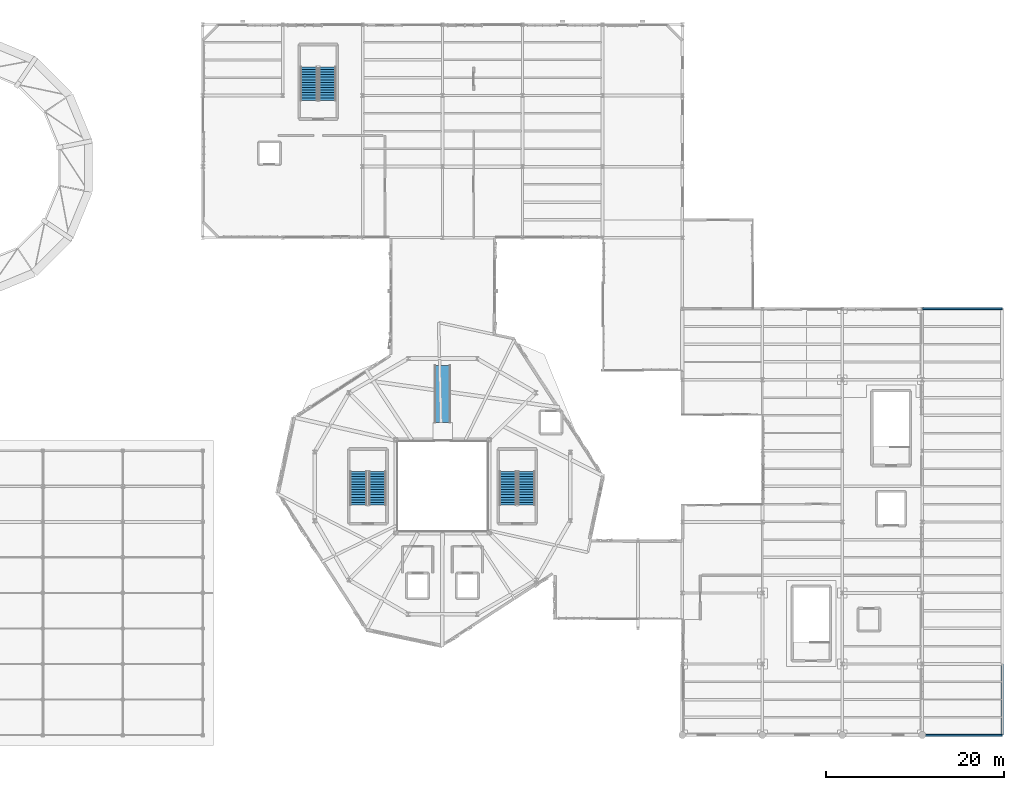
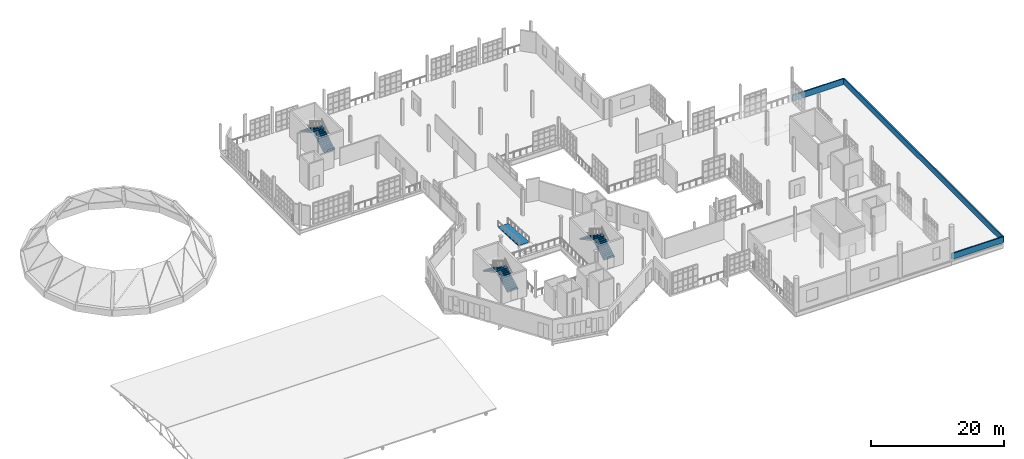
# One storey, part 107 of 118: 6 stair flights, 3 walls, 1 ramp flight, 4 elements without a shape of their own.
"""IFC4 building model written with IfcOpenShell, lengths in metres."""

from ifc_helpers import new_model, si_unit, direction, frame, frame_2d, origin, place, context, subcontext, project, spatial, polyline, rectangle, outline, extrude, material, layer, layer_set, type_object, element, aggregate, save


model = new_model("IFC4")

# Units and contexts
model_context = context("Model", 3, precision=1e-05, world=origin(), true_north=direction((0.0, 1.0)))
body_context = subcontext(model_context, "Body", "Model", "MODEL_VIEW")
ifc_project = project(units=[si_unit("LENGTHUNIT", "METRE"), si_unit("AREAUNIT", "SQUARE_METRE"), si_unit("VOLUMEUNIT", "CUBIC_METRE"), si_unit("PLANEANGLEUNIT", "RADIAN"), si_unit("MASSUNIT", "GRAM", prefix="KILO"), si_unit("THERMODYNAMICTEMPERATUREUNIT", "KELVIN"), si_unit("POWERUNIT", "WATT")], contexts=[model_context])

# Site, building, storey
site_placement = place(None, origin())
site = spatial("IfcSite", under=ifc_project, at=site_placement, CompositionType="ELEMENT")
building_placement = place(site_placement, origin())
building = spatial("IfcBuilding", under=site, at=building_placement, Name="Zelmaris Science Centre", CompositionType="ELEMENT")
storey_placement = place(building_placement, frame((0.0, 0.0, 15.60009765625)))
storey = spatial("IfcBuildingStorey", under=building, at=storey_placement, Name="L03", CompositionType="ELEMENT", Elevation=15.60009765625)

# Walls
ifc_material_1 = material(Name="Precast concrete C40/50", Category="concrete")
ifc_layer_1 = layer(ifc_material_1, 0.219970703125, Name="Precast concrete C40/50")
ifc_layer_set_1 = layer_set([ifc_layer_1], Name="Precast concrete C40/50")
wall_type_1 = type_object("IfcWallType", Name="Roof Parapet PW-01 220mm", PredefinedType="PARAPET", material=ifc_layer_set_1)
for number, where, z_axis, x_axis, name in (
    (1, (135.0, 8.0, 0.0), (0.0, 0.0, 1.0), (1.0, 0.0, 0.0), "L03 Precast roof parapet 7"),
    (2, (135.0, 56.0, 0.0), (0.0, 0.0, 1.0), (1.0, 0.0, 0.0), "L03 Precast roof parapet 9"),
):
    element("IfcWall", number, at=place(storey_placement, frame(where, z_axis=z_axis, x_axis=x_axis)), inside=storey, type_object=wall_type_1, Name=name, PredefinedType="PARAPET", context=body_context, shape_type="SweptSolid", body=[
        extrude(rectangle(XDim=9.0, YDim=0.219970703125, at=frame_2d((4.5, 0.0))), origin(), (0.0, 0.0, 1.0), 1.099853515625),
    ])
ifc_layer_2 = layer(ifc_material_1, 0.25, Name="Precast concrete C40/50")
ifc_layer_set_2 = layer_set([ifc_layer_2], Name="Precast concrete C40/50")
wall_type_2 = type_object("IfcWallType", Name="Roof Parapet PW-02 250mm", PredefinedType="PARAPET", material=ifc_layer_set_2)
wall_placement = place(storey_placement, frame((144.0, 8.0, 0.0), z_axis=(0.0, 0.0, 1.0), x_axis=(0.0, 1.0, 0.0)))
element("IfcWall", 3, at=wall_placement, inside=storey, type_object=wall_type_2, Name="L03 Precast roof parapet 8", PredefinedType="PARAPET", context=body_context, shape_type="SweptSolid", body=[
    extrude(rectangle(XDim=48.0, YDim=0.25, at=frame_2d((24.0, 0.0))), origin(), (0.0, 0.0, 1.0), 1.099853515625),
])

# Stair, stair flights
ifc_material_2 = material(Name="Concrete C40/50", Category="concrete")
stair_type = type_object("IfcStairType", Name="Exit Stair ST-B W1900", PredefinedType="HALF_TURN_STAIR", material=ifc_material_2)
stair_1_placement = place(storey_placement, origin())
stair_1 = element("IfcStair", 4, at=stair_1_placement, inside=storey, type_object=stair_type, Name="L03 Exit Stair Core ST-1", PredefinedType="HALF_TURN_STAIR")
stair_flight_type = type_object("IfcStairFlightType", Name="Stair Flight ST-BF W1900", PredefinedType="STRAIGHT", material=ifc_material_2)
stair_flight_1_placement = place(storey_placement, frame((73.64990234375, 33.89990234375, 0.0), z_axis=(0.0, 0.0, 1.0), x_axis=(0.0, 1.0, 0.0)))
stair_flight_1 = element("IfcStairFlight", 5, at=stair_flight_1_placement, type_object=stair_flight_type, Name="ST-1 flight 1", NumberOfRisers=14, NumberOfTreads=13, PredefinedType="STRAIGHT", RiserHeight=0.171428571, TreadLength=0.29, context=body_context, shape_type="SweptSolid", body=[
    extrude(outline(polyline([(0.0, 0.0), (0.0, 0.17138671875), (0.2900390625, 0.17138671875), (0.2900390625, 0.3427734375), (0.580078125, 0.3427734375), (0.580078125, 0.514404296875), (0.8701171875, 0.514404296875), (0.8701171875, 0.685791015625), (1.159912109375, 0.685791015625), (1.159912109375, 0.857177734375), (1.449951171875, 0.857177734375), (1.449951171875, 1.028564453125), (1.739990234375, 1.028564453125), (1.739990234375, 1.199951171875), (2.030029296875, 1.199951171875), (2.030029296875, 1.371337890625), (2.320068359375, 1.371337890625), (2.320068359375, 1.54296875), (2.610107421875, 1.54296875), (2.610107421875, 1.71435546875), (2.89990234375, 1.71435546875), (2.89990234375, 1.8857421875), (3.18994140625, 1.8857421875), (3.18994140625, 2.05712890625), (3.47998046875, 2.05712890625), (3.47998046875, 2.228515625), (3.77001953125, 2.228515625), (3.77001953125, 2.39990234375), (3.77001953125, 2.054443359375), (0.294677734375, 0.0), (0.0, 0.0)])), frame((0.0, 0.949951171875, 0.0), z_axis=(0.0, -1.0, 0.0), x_axis=(1.0, 0.0, 0.0)), (0.0, 0.0, 1.0), 1.89990234375),
])
stair_flight_2_placement = place(storey_placement, frame((71.550048828125, 37.669921875, 2.39990234375), z_axis=(0.0, 0.0, 1.0), x_axis=(0.0, -1.0, 0.0)))
stair_flight_2 = element("IfcStairFlight", 6, at=stair_flight_2_placement, type_object=stair_flight_type, Name="ST-1 flight 2", NumberOfRisers=14, NumberOfTreads=13, PredefinedType="STRAIGHT", RiserHeight=0.171428571, TreadLength=0.29, context=body_context, shape_type="SweptSolid", body=[
    extrude(outline(polyline([(0.0, 0.0), (0.0, 0.17138671875), (0.2900390625, 0.17138671875), (0.2900390625, 0.3427734375), (0.580078125, 0.3427734375), (0.580078125, 0.514404296875), (0.8701171875, 0.514404296875), (0.8701171875, 0.685791015625), (1.159912109375, 0.685791015625), (1.159912109375, 0.857177734375), (1.449951171875, 0.857177734375), (1.449951171875, 1.028564453125), (1.739990234375, 1.028564453125), (1.739990234375, 1.199951171875), (2.030029296875, 1.199951171875), (2.030029296875, 1.371337890625), (2.320068359375, 1.371337890625), (2.320068359375, 1.54296875), (2.610107421875, 1.54296875), (2.610107421875, 1.71435546875), (2.89990234375, 1.71435546875), (2.89990234375, 1.8857421875), (3.18994140625, 1.8857421875), (3.18994140625, 2.05712890625), (3.47998046875, 2.05712890625), (3.47998046875, 2.228515625), (3.77001953125, 2.228515625), (3.77001953125, 2.39990234375), (3.77001953125, 2.054443359375), (0.294677734375, 0.0), (0.0, 0.0)])), frame((0.0, 0.949951171875, 0.0), z_axis=(0.0, -1.0, 0.0), x_axis=(1.0, 0.0, 0.0)), (0.0, 0.0, 1.0), 1.89990234375),
])
aggregate(stair_1, [stair_flight_1, stair_flight_2])

stair_2_placement = place(storey_placement, origin())
stair_2 = element("IfcStair", 7, at=stair_2_placement, inside=storey, type_object=stair_type, Name="L03 Exit Stair Core ST-2", PredefinedType="HALF_TURN_STAIR")
stair_flight_3_placement = place(storey_placement, frame((90.449951171875, 33.89990234375, 0.0), z_axis=(0.0, 0.0, 1.0), x_axis=(0.0, 1.0, 0.0)))
stair_flight_3 = element("IfcStairFlight", 8, at=stair_flight_3_placement, type_object=stair_flight_type, Name="ST-2 flight 1", NumberOfRisers=14, NumberOfTreads=13, PredefinedType="STRAIGHT", RiserHeight=0.171428571, TreadLength=0.29, context=body_context, shape_type="SweptSolid", body=[
    extrude(outline(polyline([(0.0, 0.0), (0.0, 0.17138671875), (0.2900390625, 0.17138671875), (0.2900390625, 0.3427734375), (0.580078125, 0.3427734375), (0.580078125, 0.514404296875), (0.8701171875, 0.514404296875), (0.8701171875, 0.685791015625), (1.159912109375, 0.685791015625), (1.159912109375, 0.857177734375), (1.449951171875, 0.857177734375), (1.449951171875, 1.028564453125), (1.739990234375, 1.028564453125), (1.739990234375, 1.199951171875), (2.030029296875, 1.199951171875), (2.030029296875, 1.371337890625), (2.320068359375, 1.371337890625), (2.320068359375, 1.54296875), (2.610107421875, 1.54296875), (2.610107421875, 1.71435546875), (2.89990234375, 1.71435546875), (2.89990234375, 1.8857421875), (3.18994140625, 1.8857421875), (3.18994140625, 2.05712890625), (3.47998046875, 2.05712890625), (3.47998046875, 2.228515625), (3.77001953125, 2.228515625), (3.77001953125, 2.39990234375), (3.77001953125, 2.054443359375), (0.294677734375, 0.0), (0.0, 0.0)])), frame((0.0, 0.949951171875, 0.0), z_axis=(0.0, -1.0, 0.0), x_axis=(1.0, 0.0, 0.0)), (0.0, 0.0, 1.0), 1.89990234375),
])
stair_flight_4_placement = place(storey_placement, frame((88.35009765625, 37.669921875, 2.39990234375), z_axis=(0.0, 0.0, 1.0), x_axis=(0.0, -1.0, 0.0)))
stair_flight_4 = element("IfcStairFlight", 9, at=stair_flight_4_placement, type_object=stair_flight_type, Name="ST-2 flight 2", NumberOfRisers=14, NumberOfTreads=13, PredefinedType="STRAIGHT", RiserHeight=0.171428571, TreadLength=0.29, context=body_context, shape_type="SweptSolid", body=[
    extrude(outline(polyline([(0.0, 0.0), (0.0, 0.17138671875), (0.2900390625, 0.17138671875), (0.2900390625, 0.3427734375), (0.580078125, 0.3427734375), (0.580078125, 0.514404296875), (0.8701171875, 0.514404296875), (0.8701171875, 0.685791015625), (1.159912109375, 0.685791015625), (1.159912109375, 0.857177734375), (1.449951171875, 0.857177734375), (1.449951171875, 1.028564453125), (1.739990234375, 1.028564453125), (1.739990234375, 1.199951171875), (2.030029296875, 1.199951171875), (2.030029296875, 1.371337890625), (2.320068359375, 1.371337890625), (2.320068359375, 1.54296875), (2.610107421875, 1.54296875), (2.610107421875, 1.71435546875), (2.89990234375, 1.71435546875), (2.89990234375, 1.8857421875), (3.18994140625, 1.8857421875), (3.18994140625, 2.05712890625), (3.47998046875, 2.05712890625), (3.47998046875, 2.228515625), (3.77001953125, 2.228515625), (3.77001953125, 2.39990234375), (3.77001953125, 2.054443359375), (0.294677734375, 0.0), (0.0, 0.0)])), frame((0.0, 0.949951171875, 0.0), z_axis=(0.0, -1.0, 0.0), x_axis=(1.0, 0.0, 0.0)), (0.0, 0.0, 1.0), 1.89990234375),
])
aggregate(stair_2, [stair_flight_3, stair_flight_4])

stair_3_placement = place(storey_placement, origin())
stair_3 = element("IfcStair", 10, at=stair_3_placement, inside=storey, type_object=stair_type, Name="L03 Exit Stair Core ST-3", PredefinedType="HALF_TURN_STAIR")
stair_flight_5_placement = place(storey_placement, frame((68.050048828125, 79.449951171875, 0.0), z_axis=(0.0, 0.0, 1.0), x_axis=(0.0, 1.0, 0.0)))
stair_flight_5 = element("IfcStairFlight", 11, at=stair_flight_5_placement, type_object=stair_flight_type, Name="ST-3 flight 1", NumberOfRisers=14, NumberOfTreads=13, PredefinedType="STRAIGHT", RiserHeight=0.171428571, TreadLength=0.29, context=body_context, shape_type="SweptSolid", body=[
    extrude(outline(polyline([(0.0, 0.0), (0.0, 0.17138671875), (0.2900390625, 0.17138671875), (0.2900390625, 0.3427734375), (0.580078125, 0.3427734375), (0.580078125, 0.514404296875), (0.8701171875, 0.514404296875), (0.8701171875, 0.685791015625), (1.159912109375, 0.685791015625), (1.159912109375, 0.857177734375), (1.449951171875, 0.857177734375), (1.449951171875, 1.028564453125), (1.739990234375, 1.028564453125), (1.739990234375, 1.199951171875), (2.030029296875, 1.199951171875), (2.030029296875, 1.371337890625), (2.320068359375, 1.371337890625), (2.320068359375, 1.54296875), (2.610107421875, 1.54296875), (2.610107421875, 1.71435546875), (2.89990234375, 1.71435546875), (2.89990234375, 1.8857421875), (3.18994140625, 1.8857421875), (3.18994140625, 2.05712890625), (3.47998046875, 2.05712890625), (3.47998046875, 2.228515625), (3.77001953125, 2.228515625), (3.77001953125, 2.39990234375), (3.77001953125, 2.054443359375), (0.294677734375, 0.0), (0.0, 0.0)])), frame((0.0, 0.949951171875, 0.0), z_axis=(0.0, -1.0, 0.0), x_axis=(1.0, 0.0, 0.0)), (0.0, 0.0, 1.0), 1.89990234375),
])
stair_flight_6_placement = place(storey_placement, frame((65.949951171875, 83.219970703125, 2.39990234375), z_axis=(0.0, 0.0, 1.0), x_axis=(0.0, -1.0, 0.0)))
stair_flight_6 = element("IfcStairFlight", 12, at=stair_flight_6_placement, type_object=stair_flight_type, Name="ST-3 flight 2", NumberOfRisers=14, NumberOfTreads=13, PredefinedType="STRAIGHT", RiserHeight=0.171428571, TreadLength=0.29, context=body_context, shape_type="SweptSolid", body=[
    extrude(outline(polyline([(0.0, 0.0), (0.0, 0.17138671875), (0.2900390625, 0.17138671875), (0.2900390625, 0.3427734375), (0.580078125, 0.3427734375), (0.580078125, 0.514404296875), (0.8701171875, 0.514404296875), (0.8701171875, 0.685791015625), (1.159912109375, 0.685791015625), (1.159912109375, 0.857177734375), (1.449951171875, 0.857177734375), (1.449951171875, 1.028564453125), (1.739990234375, 1.028564453125), (1.739990234375, 1.199951171875), (2.030029296875, 1.199951171875), (2.030029296875, 1.371337890625), (2.320068359375, 1.371337890625), (2.320068359375, 1.54296875), (2.610107421875, 1.54296875), (2.610107421875, 1.71435546875), (2.89990234375, 1.71435546875), (2.89990234375, 1.8857421875), (3.18994140625, 1.8857421875), (3.18994140625, 2.05712890625), (3.47998046875, 2.05712890625), (3.47998046875, 2.228515625), (3.77001953125, 2.228515625), (3.77001953125, 2.39990234375), (3.77001953125, 2.054443359375), (0.294677734375, 0.0), (0.0, 0.0)])), frame((0.0, 0.949951171875, 0.0), z_axis=(0.0, -1.0, 0.0), x_axis=(1.0, 0.0, 0.0)), (0.0, 0.0, 1.0), 1.89990234375),
])
aggregate(stair_3, [stair_flight_5, stair_flight_6])

# Ramp, ramp flight
ramp_type = type_object("IfcRampType", Name="Accessible Ramp RMP-01 W1800", PredefinedType="STRAIGHT_RUN_RAMP", material=ifc_material_2)
ramp_placement = place(storey_placement, origin())
ramp = element("IfcRamp", 13, at=ramp_placement, inside=storey, type_object=ramp_type, Name="L03 Atrium overlook ramp", PredefinedType="STRAIGHT_RUN_RAMP")
ifc_layer_3 = layer(ifc_material_2, 0.219970703125, Name="Concrete C40/50")
ifc_layer_set_3 = layer_set([ifc_layer_3], Name="Concrete C40/50")
ramp_flight_type = type_object("IfcRampFlightType", Name="Ramp Flight RMF-01 W1800", PredefinedType="STRAIGHT", material=ifc_layer_set_3)
ramp_flight_placement = place(storey_placement, frame((81.0, 49.60009765625, 0.0), z_axis=(0.0, 0.0, 1.0), x_axis=(0.0, -1.0, 0.0)))
ramp_flight = element("IfcRampFlight", 14, at=ramp_flight_placement, type_object=ramp_flight_type, Name="L03 Atrium overlook ramp flight", PredefinedType="STRAIGHT", context=body_context, shape_type="SweptSolid", body=[
    extrude(outline(polyline([(0.0, 0.0), (6.39990234375, 0.419921875), (6.39990234375, 0.199951171875), (0.0, -0.219970703125), (0.0, 0.0)])), frame((0.0, 0.89990234375, 0.0), z_axis=(0.0, -1.0, 0.0), x_axis=(1.0, 0.0, 0.0)), (0.0, 0.0, 1.0), 1.800048828125),
])
aggregate(ramp, [ramp_flight])

save(model, "model.ifc")
